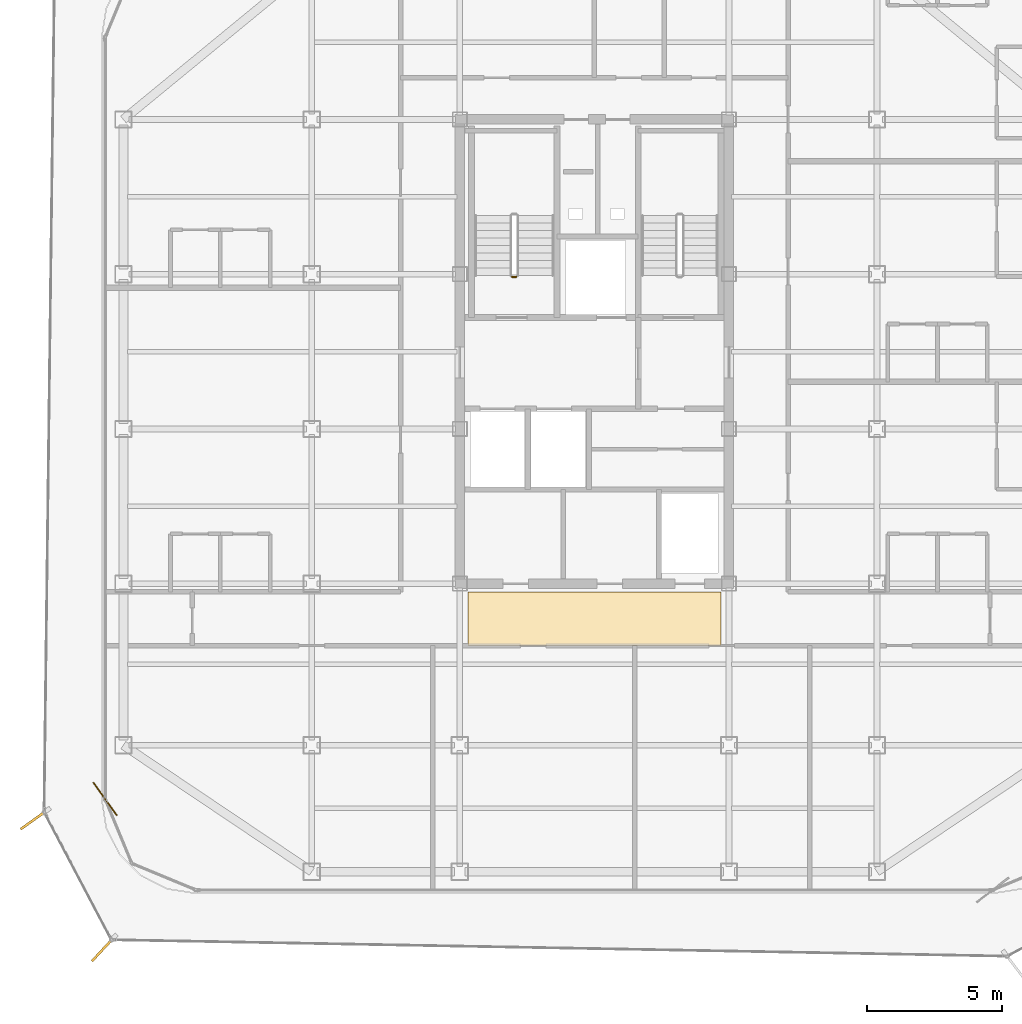
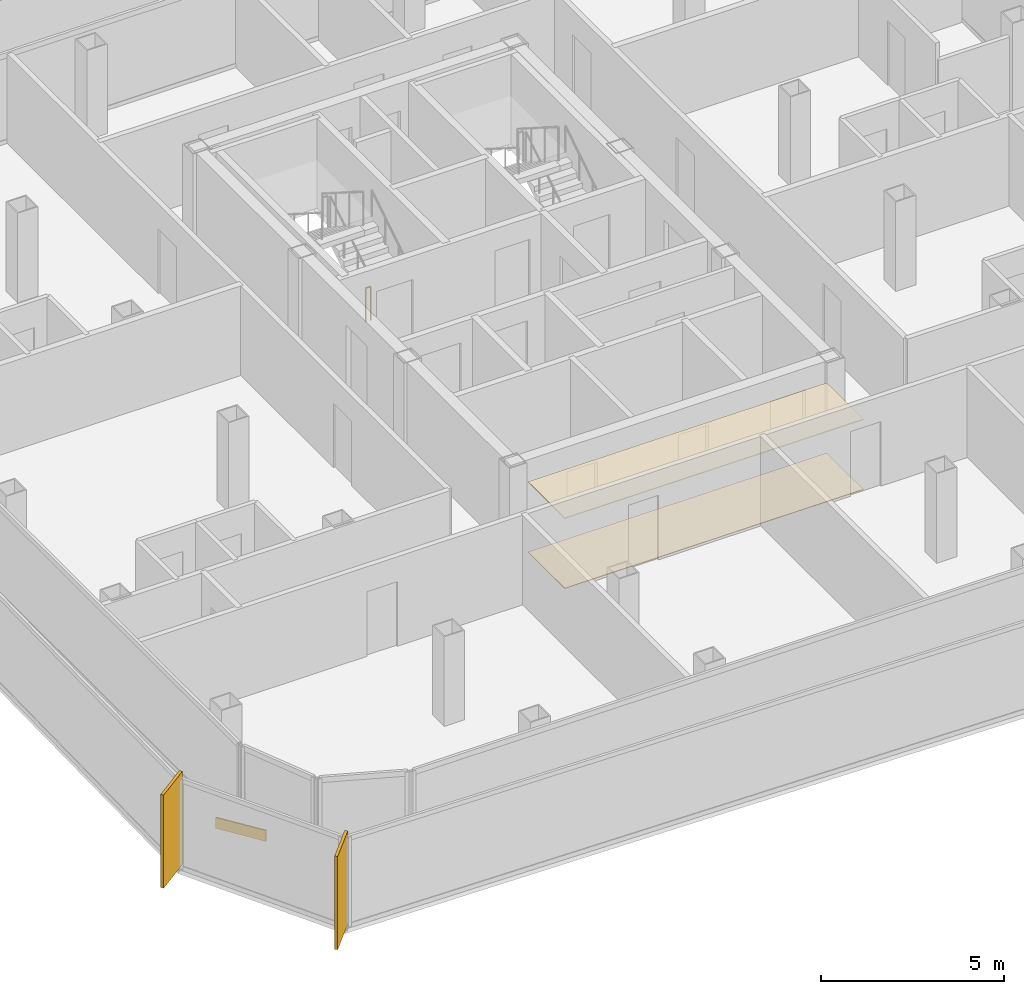
# One storey, part 13 of 15: 3 coverings, 2 shading devices, 1 railing.
"""IFC4 building model written with IfcOpenShell, lengths in metres."""

from ifc_helpers import new_model, si_unit, direction, frame, origin, origin_2d, place, context, subcontext, project, spatial, polyline, rectangle, circle, outline, extrude, source, transform, mapped, material, layer, layer_set, type_object, element, save


model = new_model("IFC4")

# Units and contexts
model_context = context("Model", 3, precision=1e-05, world=origin(), true_north=direction((0.0, 1.0)))
body_context = subcontext(model_context, "Body", "Model", "MODEL_VIEW")
ifc_project = project(units=[si_unit("LENGTHUNIT", "METRE"), si_unit("AREAUNIT", "SQUARE_METRE"), si_unit("VOLUMEUNIT", "CUBIC_METRE"), si_unit("PLANEANGLEUNIT", "RADIAN"), si_unit("MASSUNIT", "GRAM", prefix="KILO")], contexts=[model_context])

# Site, building, storey
site_placement = place(None, origin())
site = spatial("IfcSite", under=ifc_project, at=site_placement, CompositionType="ELEMENT")
building_placement = place(site_placement, origin())
building = spatial("IfcBuilding", under=site, at=building_placement, Name="Kolveth Station Tower", CompositionType="ELEMENT")
storey_placement = place(building_placement, frame((0.0, 0.0, 245.699951171875)))
storey = spatial("IfcBuildingStorey", under=building, at=storey_placement, Name="L70", CompositionType="ELEMENT", Elevation=245.699951171875)

# Coverings
ifc_material_1 = material(Name="Acoustic mineral-fibre ceiling tile")
ifc_layer_1 = layer(ifc_material_1, 0.02490234375)
ifc_layer_set_1 = layer_set([ifc_layer_1], Name="Acoustic mineral-fibre ceiling tile")
covering_type_1 = type_object("IfcCoveringType", Name="Ceil_CL1", PredefinedType="CEILING", material=ifc_layer_set_1)
covering_1_placement = place(storey_placement, frame((0.0, 0.0, 2.330078125)))
element("IfcCovering", 1, at=covering_1_placement, inside=storey, type_object=covering_type_1, Name="L70 Lift Lobby Suspended Ceiling", PredefinedType="CEILING", context=body_context, shape_type="SweptSolid", body=[
    extrude(outline(polyline([(18.800048828125, 9.199951171875), (28.199951171875, 9.199951171875), (28.199951171875, 11.199951171875), (18.800048828125, 11.199951171875), (18.800048828125, 9.199951171875)])), origin(), (0.0, 0.0, 1.0), 0.02490234375),
])
ifc_material_2 = material(Name="Honed terrazzo flooring")
ifc_layer_2 = layer(ifc_material_2, 0.02001953125)
ifc_layer_set_2 = layer_set([ifc_layer_2], Name="Honed terrazzo flooring")
covering_type_2 = type_object("IfcCoveringType", Name="Floor_FL1", PredefinedType="FLOORING", material=ifc_layer_set_2)
covering_2_placement = place(storey_placement, origin())
element("IfcCovering", 2, at=covering_2_placement, inside=storey, type_object=covering_type_2, Name="L70 Lift Lobby Floor Finish", PredefinedType="FLOORING", context=body_context, shape_type="SweptSolid", body=[
    extrude(outline(polyline([(18.800048828125, 9.199951171875), (28.199951171875, 9.199951171875), (28.199951171875, 11.199951171875), (18.800048828125, 11.199951171875), (18.800048828125, 9.199951171875)])), origin(), (0.0, 0.0, 1.0), 0.02001953125),
])

# Railing
ifc_material_3 = material(Name="Painted Steel S355 balustrade", Category="steel")
railing_type = type_object("IfcRailingType", Name="Guard_GR2", PredefinedType="BALUSTRADE", material=ifc_material_3)
railing_placement = place(storey_placement, frame((20.60009765625, 22.89990234375, 0.0)))
element("IfcRailing", 3, at=railing_placement, inside=storey, type_object=railing_type, Name="L70 ST1 stair guard 4", PredefinedType="BALUSTRADE", context=body_context, shape_type="SweptSolid", body=[
    extrude(circle(Radius=0.02392578125, at=origin_2d()), frame((0.0, 0.0, 1.1259765625), z_axis=(-1.0, 0.0, 0.0), x_axis=(0.0, -1.0, 0.0)), (0.0, 0.0, 1.0), 0.16015625),
    extrude(circle(Radius=0.02099609375, at=origin_2d()), origin(), (0.0, 0.0, 1.0), 1.101806640625),
    extrude(circle(Radius=0.02099609375, at=origin_2d()), frame((-0.16015625, 0.0, 0.0)), (0.0, 0.0, 1.0), 1.101806640625),
])

# Shading devices
ifc_material_4 = material(Name="Black anodized aluminium 6063-T6", Category="aluminium")
shading_device_type = type_object("IfcShadingDeviceType", Name="FIN_VF1", PredefinedType="USERDEFINED", material=ifc_material_4)
shared_shape_1 = source(origin(), body_context, "Body", "SweptSolid", [
    extrude(rectangle(XDim=1.25, YDim=0.090087890625, at=origin_2d()), origin(), (0.0, 0.0, 1.0), 3.10009765625),
])
for number, where, z_axis, x_axis, name in (
    (4, (2.69189453125, 2.741943359375, 0.0), (0.0, 0.0, 1.0), (-0.812897512265, -0.582406760395, 0.0), "L70 Dark-Aluminium Solar Fin 7"),
    (5, (5.256103515625, -2.06591796875, 0.0), (0.0, 0.0, 1.0), (-0.679185142834, -0.733966989553, 0.0), "L70 Dark-Aluminium Solar Fin 8"),
):
    element("IfcShadingDevice", number, at=place(storey_placement, frame(where, z_axis=z_axis, x_axis=x_axis)), inside=storey, type_object=shading_device_type, Name=name, ObjectType="FIN", PredefinedType="USERDEFINED", context=body_context, shape_type="MappedRepresentation", body=[
        mapped(shared_shape_1, transform((0.0, 0.0, 0.0), x_axis=(1.0, 0.0, 0.0), y_axis=(0.0, 1.0, 0.0), z_axis=(0.0, 0.0, 1.0), scale=1.0)),
    ])

# Covering
ifc_material_5 = material(Name="Charcoal anodized aluminium spandrel cladding", Category="aluminium")
ifc_layer_3 = layer(ifc_material_5, 0.044921875)
ifc_layer_set_3 = layer_set([ifc_layer_3], Name="Charcoal anodized aluminium spandrel cladding")
covering_type_3 = type_object("IfcCoveringType", Name="Clad_CD1", PredefinedType="CLADDING", material=ifc_layer_set_3)
shared_shape_2 = source(origin(), body_context, "Body", "SweptSolid", [
    extrude(rectangle(XDim=1.5, YDim=0.044921875, at=origin_2d()), origin(), (0.0, 0.0, 1.0), 0.360107421875),
])
covering_3_placement = place(storey_placement, frame((5.320068359375, 3.5, 0.0), z_axis=(0.0, 0.0, 1.0), x_axis=(0.582406760395, -0.812897512265, 0.0)))
element("IfcCovering", 6, at=covering_3_placement, inside=storey, type_object=covering_type_3, Name="L70 Spandrel Edge Cladding 7", PredefinedType="CLADDING", context=body_context, shape_type="MappedRepresentation", body=[
    mapped(shared_shape_2, transform((0.0, 0.0, 0.0), x_axis=(1.0, 0.0, 0.0), y_axis=(0.0, 1.0, 0.0), z_axis=(0.0, 0.0, 1.0), scale=1.0)),
])

save(model, "model.ifc")
